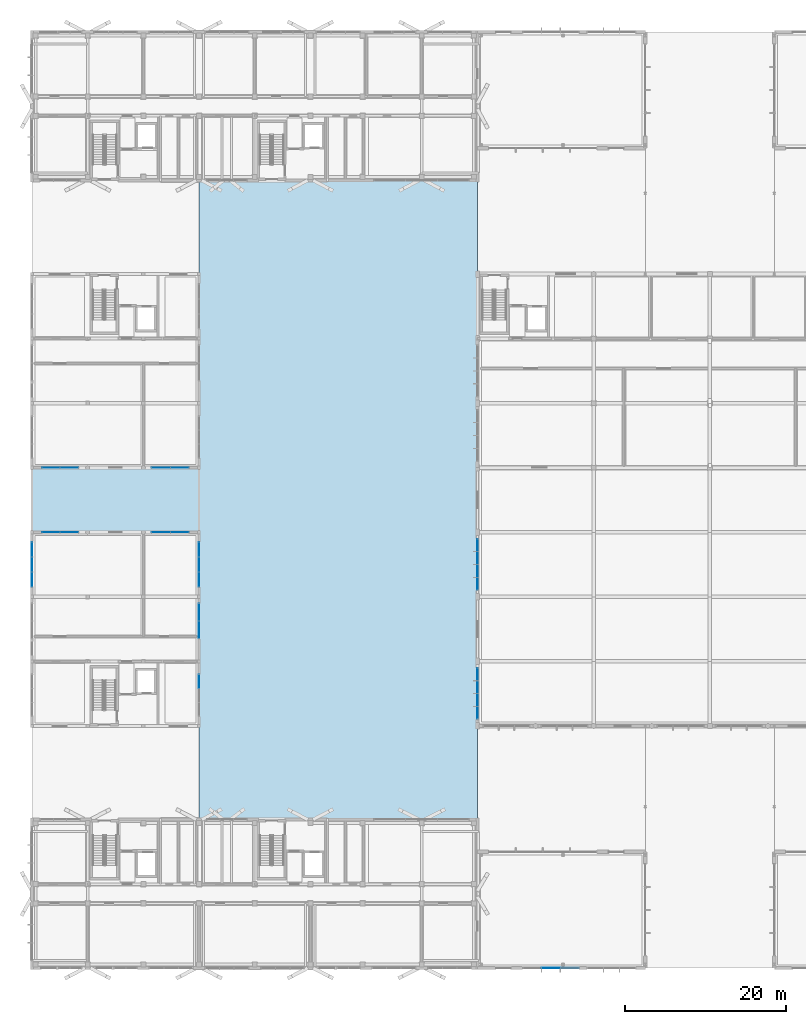
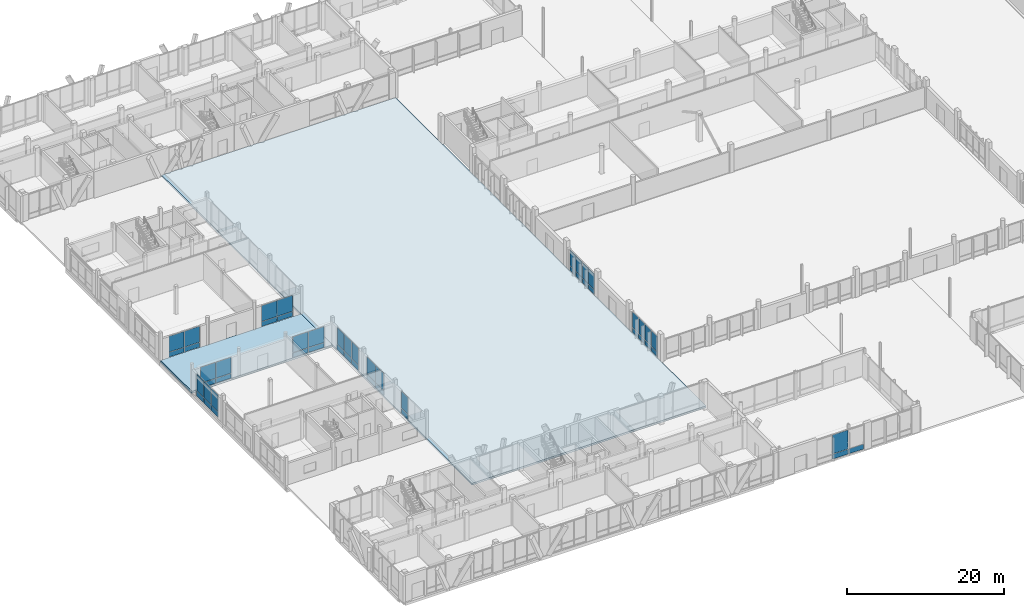
# One storey, part 178 of 233: 53 plates, 2 slabs, 11 elements without a shape of their own.
"""IFC4 building model written with IfcOpenShell, lengths in metres."""

from ifc_helpers import new_model, si_unit, direction, frame, origin, origin_2d, place, context, subcontext, project, spatial, polyline, rectangle, outline, extrude, material, layer, layer_set, type_object, element, aggregate, save


model = new_model("IFC4")

# Units and contexts
model_context = context("Model", 3, precision=1e-05, world=origin(), true_north=direction((0.0, 1.0)))
body_context = subcontext(model_context, "Body", "Model", "MODEL_VIEW")
ifc_project = project(units=[si_unit("LENGTHUNIT", "METRE"), si_unit("AREAUNIT", "SQUARE_METRE"), si_unit("VOLUMEUNIT", "CUBIC_METRE"), si_unit("PLANEANGLEUNIT", "RADIAN"), si_unit("MASSUNIT", "GRAM", prefix="KILO")], contexts=[model_context])

# Site, building, storey
site_placement = place(None, origin())
site = spatial("IfcSite", under=ifc_project, at=site_placement, CompositionType="ELEMENT")
building_placement = place(site_placement, origin())
building = spatial("IfcBuilding", under=site, at=building_placement, Name="Zavelmont Quarter", CompositionType="ELEMENT")
storey_placement = place(building_placement, origin())
storey = spatial("IfcBuildingStorey", under=building, at=storey_placement, Name="L00", CompositionType="ELEMENT", Elevation=0.0)

# Curtain wall, plates
ifc_material_1 = material(Name="Thermally broken aluminium and double low-E safety glazing", Category="aluminium")
curtain_wall_type_1 = type_object("IfcCurtainWallType", Name="CW-640X336", PredefinedType="NOTDEFINED", material=ifc_material_1)
curtain_wall_1_placement = place(storey_placement, origin())
curtain_wall_1 = element("IfcCurtainWall", 1, at=curtain_wall_1_placement, inside=storey, type_object=curtain_wall_type_1, Name="L00 unitised curtain wall CW-640X336", PredefinedType="NOTDEFINED")
ifc_material_2 = material(Name="Insulated anodised-aluminium spandrel panel", Category="aluminium")
ifc_layer_1 = layer(ifc_material_2, 0.0400390625)
ifc_layer_set_1 = layer_set([ifc_layer_1], Name="Insulated anodised-aluminium spandrel panel")
plate_type_1 = type_object("IfcPlateType", Name="CWP-SPD-1495X700", PredefinedType="CURTAIN_PANEL", material=ifc_layer_set_1)
plate_1_placement = place(storey_placement, frame((55.199951171875, 31.617431640625, 0.06982421875), z_axis=(0.0, 0.0, 1.0), x_axis=(0.0, 1.0, 0.0)))
plate_1 = element("IfcPlate", 2, at=plate_1_placement, type_object=plate_type_1, Name="CW-640X336 panel 1.1", PredefinedType="CURTAIN_PANEL", context=body_context, shape_type="SweptSolid", body=[
    extrude(rectangle(XDim=1.4951171875, YDim=0.0400390625, at=origin_2d()), origin(), (0.0, 0.0, 1.0), 0.700927734375),
])
plate_2_placement = place(storey_placement, frame((55.199951171875, 36.382568359375, 0.06982421875), z_axis=(0.0, 0.0, 1.0), x_axis=(0.0, 1.0, 0.0)))
plate_2 = element("IfcPlate", 3, at=plate_2_placement, type_object=plate_type_1, Name="CW-640X336 panel 4.1", PredefinedType="CURTAIN_PANEL", context=body_context, shape_type="SweptSolid", body=[
    extrude(rectangle(XDim=1.4951171875, YDim=0.0400390625, at=origin_2d()), origin(), (0.0, 0.0, 1.0), 0.700927734375),
])

curtain_wall_2_placement = place(storey_placement, origin())
curtain_wall_2 = element("IfcCurtainWall", 4, at=curtain_wall_2_placement, inside=storey, type_object=curtain_wall_type_1, Name="L00 unitised curtain wall CW-640X336", PredefinedType="NOTDEFINED")
plate_3_placement = place(storey_placement, frame((55.199951171875, 47.617431640625, 0.06982421875), z_axis=(0.0, 0.0, 1.0), x_axis=(0.0, 1.0, 0.0)))
plate_3 = element("IfcPlate", 5, at=plate_3_placement, type_object=plate_type_1, Name="CW-640X336 panel 1.1", PredefinedType="CURTAIN_PANEL", context=body_context, shape_type="SweptSolid", body=[
    extrude(rectangle(XDim=1.4951171875, YDim=0.0400390625, at=origin_2d()), origin(), (0.0, 0.0, 1.0), 0.700927734375),
])
plate_4_placement = place(storey_placement, frame((55.199951171875, 52.382568359375, 0.06982421875), z_axis=(0.0, 0.0, 1.0), x_axis=(0.0, 1.0, 0.0)))
plate_4 = element("IfcPlate", 6, at=plate_4_placement, type_object=plate_type_1, Name="CW-640X336 panel 4.1", PredefinedType="CURTAIN_PANEL", context=body_context, shape_type="SweptSolid", body=[
    extrude(rectangle(XDim=1.4951171875, YDim=0.0400390625, at=origin_2d()), origin(), (0.0, 0.0, 1.0), 0.700927734375),
])

# Plate
ifc_layer_2 = layer(ifc_material_2, 0.0400390625)
ifc_layer_set_2 = layer_set([ifc_layer_2], Name="Insulated anodised-aluminium spandrel panel")
plate_type_2 = type_object("IfcPlateType", Name="CWP-SPD-1530X700", PredefinedType="CURTAIN_PANEL", material=ifc_layer_set_2)
plate_5_placement = place(storey_placement, frame((55.199951171875, 33.199951171875, 0.06982421875), z_axis=(0.0, 0.0, 1.0), x_axis=(0.0, 1.0, 0.0)))
plate_5 = element("IfcPlate", 7, at=plate_5_placement, type_object=plate_type_2, Name="CW-640X336 panel 2.1", PredefinedType="CURTAIN_PANEL", context=body_context, shape_type="SweptSolid", body=[
    extrude(rectangle(XDim=1.530029296875, YDim=0.0400390625, at=origin_2d()), origin(), (0.0, 0.0, 1.0), 0.700927734375),
])

plate_6_placement = place(storey_placement, frame((55.199951171875, 34.800048828125, 0.06982421875), z_axis=(0.0, 0.0, 1.0), x_axis=(0.0, 1.0, 0.0)))
plate_6 = element("IfcPlate", 8, at=plate_6_placement, type_object=plate_type_2, Name="CW-640X336 panel 3.1", PredefinedType="CURTAIN_PANEL", context=body_context, shape_type="SweptSolid", body=[
    extrude(rectangle(XDim=1.530029296875, YDim=0.0400390625, at=origin_2d()), origin(), (0.0, 0.0, 1.0), 0.700927734375),
])

plate_7_placement = place(storey_placement, frame((55.199951171875, 49.199951171875, 0.06982421875), z_axis=(0.0, 0.0, 1.0), x_axis=(0.0, 1.0, 0.0)))
plate_7 = element("IfcPlate", 9, at=plate_7_placement, type_object=plate_type_2, Name="CW-640X336 panel 2.1", PredefinedType="CURTAIN_PANEL", context=body_context, shape_type="SweptSolid", body=[
    extrude(rectangle(XDim=1.530029296875, YDim=0.0400390625, at=origin_2d()), origin(), (0.0, 0.0, 1.0), 0.700927734375),
])

plate_8_placement = place(storey_placement, frame((55.199951171875, 50.800048828125, 0.06982421875), z_axis=(0.0, 0.0, 1.0), x_axis=(0.0, 1.0, 0.0)))
plate_8 = element("IfcPlate", 10, at=plate_8_placement, type_object=plate_type_2, Name="CW-640X336 panel 3.1", PredefinedType="CURTAIN_PANEL", context=body_context, shape_type="SweptSolid", body=[
    extrude(rectangle(XDim=1.530029296875, YDim=0.0400390625, at=origin_2d()), origin(), (0.0, 0.0, 1.0), 0.700927734375),
])

# Curtain wall, plate
curtain_wall_type_2 = type_object("IfcCurtainWallType", Name="CW-520X356", PredefinedType="NOTDEFINED", material=ifc_material_1)
curtain_wall_3_placement = place(storey_placement, origin())
curtain_wall_3 = element("IfcCurtainWall", 11, at=curtain_wall_3_placement, inside=storey, type_object=curtain_wall_type_2, Name="L00 unitised curtain wall CW-520X356", PredefinedType="NOTDEFINED")
ifc_layer_3 = layer(ifc_material_2, 0.0400390625)
ifc_layer_set_3 = layer_set([ifc_layer_3], Name="Insulated anodised-aluminium spandrel panel")
plate_type_3 = type_object("IfcPlateType", Name="CWP-SPD-1645X760", PredefinedType="CURTAIN_PANEL", material=ifc_layer_set_3)
plate_9_placement = place(storey_placement, frame((20.699951171875, 35.518310546875, 0.06005859375), z_axis=(0.0, 0.0, 1.0), x_axis=(0.0, 1.0, 0.0)))
plate_9 = element("IfcPlate", 12, at=plate_9_placement, type_object=plate_type_3, Name="CW-520X356 panel 3.1", PredefinedType="CURTAIN_PANEL", context=body_context, shape_type="SweptSolid", body=[
    extrude(rectangle(XDim=1.643310546875, YDim=0.0400390625, at=origin_2d()), origin(), (0.0, 0.0, 1.0), 0.760009765625),
])

# Curtain wall, plates
curtain_wall_type_3 = type_object("IfcCurtainWallType", Name="CW-560X356", PredefinedType="NOTDEFINED", material=ifc_material_1)
curtain_wall_4_placement = place(storey_placement, origin())
curtain_wall_4 = element("IfcCurtainWall", 13, at=curtain_wall_4_placement, inside=storey, type_object=curtain_wall_type_3, Name="L00 unitised curtain wall CW-560X356", PredefinedType="NOTDEFINED")
ifc_layer_4 = layer(ifc_material_2, 0.0400390625)
ifc_layer_set_4 = layer_set([ifc_layer_4], Name="Insulated anodised-aluminium spandrel panel")
plate_type_4 = type_object("IfcPlateType", Name="CWP-SPD-1775X760", PredefinedType="CURTAIN_PANEL", material=ifc_layer_set_4)
plate_10_placement = place(storey_placement, frame((0.0, 48.1484375, 0.06005859375), z_axis=(0.0, 0.0, 1.0), x_axis=(0.0, 1.0, 0.0)))
plate_10 = element("IfcPlate", 14, at=plate_10_placement, type_object=plate_type_4, Name="CW-560X356 panel 1.1", PredefinedType="CURTAIN_PANEL", context=body_context, shape_type="SweptSolid", body=[
    extrude(rectangle(XDim=1.776611328125, YDim=0.0400390625, at=origin_2d()), origin(), (0.0, 0.0, 1.0), 0.760009765625),
])
plate_11_placement = place(storey_placement, frame((0.0, 51.8515625, 0.06005859375), z_axis=(0.0, 0.0, 1.0), x_axis=(0.0, 1.0, 0.0)))
plate_11 = element("IfcPlate", 15, at=plate_11_placement, type_object=plate_type_4, Name="CW-560X356 panel 3.1", PredefinedType="CURTAIN_PANEL", context=body_context, shape_type="SweptSolid", body=[
    extrude(rectangle(XDim=1.776611328125, YDim=0.0400390625, at=origin_2d()), origin(), (0.0, 0.0, 1.0), 0.760009765625),
])

curtain_wall_5_placement = place(storey_placement, origin())
curtain_wall_5 = element("IfcCurtainWall", 16, at=curtain_wall_5_placement, inside=storey, type_object=curtain_wall_type_3, Name="L00 unitised curtain wall CW-560X356", PredefinedType="NOTDEFINED")
plate_12_placement = place(storey_placement, frame((20.699951171875, 48.1484375, 0.06005859375), z_axis=(0.0, 0.0, 1.0), x_axis=(0.0, 1.0, 0.0)))
plate_12 = element("IfcPlate", 17, at=plate_12_placement, type_object=plate_type_4, Name="CW-560X356 panel 1.1", PredefinedType="CURTAIN_PANEL", context=body_context, shape_type="SweptSolid", body=[
    extrude(rectangle(XDim=1.776611328125, YDim=0.0400390625, at=origin_2d()), origin(), (0.0, 0.0, 1.0), 0.760009765625),
])
plate_13_placement = place(storey_placement, frame((20.699951171875, 51.8515625, 0.06005859375), z_axis=(0.0, 0.0, 1.0), x_axis=(0.0, 1.0, 0.0)))
plate_13 = element("IfcPlate", 18, at=plate_13_placement, type_object=plate_type_4, Name="CW-560X356 panel 3.1", PredefinedType="CURTAIN_PANEL", context=body_context, shape_type="SweptSolid", body=[
    extrude(rectangle(XDim=1.776611328125, YDim=0.0400390625, at=origin_2d()), origin(), (0.0, 0.0, 1.0), 0.760009765625),
])

# Plate
ifc_layer_5 = layer(ifc_material_2, 0.0400390625)
ifc_layer_set_5 = layer_set([ifc_layer_5], Name="Insulated anodised-aluminium spandrel panel")
plate_type_5 = type_object("IfcPlateType", Name="CWP-SPD-1805X760", PredefinedType="CURTAIN_PANEL", material=ifc_layer_set_5)
plate_14_placement = place(storey_placement, frame((0.0, 50.0, 0.06005859375), z_axis=(0.0, 0.0, 1.0), x_axis=(0.0, 1.0, 0.0)))
plate_14 = element("IfcPlate", 19, at=plate_14_placement, type_object=plate_type_5, Name="CW-560X356 panel 2.1", PredefinedType="CURTAIN_PANEL", context=body_context, shape_type="SweptSolid", body=[
    extrude(rectangle(XDim=1.806640625, YDim=0.0400390625, at=origin_2d()), origin(), (0.0, 0.0, 1.0), 0.760009765625),
])

plate_15_placement = place(storey_placement, frame((20.699951171875, 50.0, 0.06005859375), z_axis=(0.0, 0.0, 1.0), x_axis=(0.0, 1.0, 0.0)))
plate_15 = element("IfcPlate", 20, at=plate_15_placement, type_object=plate_type_5, Name="CW-560X356 panel 2.1", PredefinedType="CURTAIN_PANEL", context=body_context, shape_type="SweptSolid", body=[
    extrude(rectangle(XDim=1.806640625, YDim=0.0400390625, at=origin_2d()), origin(), (0.0, 0.0, 1.0), 0.760009765625),
])

# Curtain wall, plates
curtain_wall_type_4 = type_object("IfcCurtainWallType", Name="CW-440X356", PredefinedType="NOTDEFINED", material=ifc_material_1)
curtain_wall_6_placement = place(storey_placement, origin())
curtain_wall_6 = element("IfcCurtainWall", 21, at=curtain_wall_6_placement, inside=storey, type_object=curtain_wall_type_4, Name="L00 unitised curtain wall CW-440X356", PredefinedType="NOTDEFINED")
ifc_layer_6 = layer(ifc_material_2, 0.0400390625)
ifc_layer_set_6 = layer_set([ifc_layer_6], Name="Insulated anodised-aluminium spandrel panel")
plate_type_6 = type_object("IfcPlateType", Name="CWP-SPD-2110X760", PredefinedType="CURTAIN_PANEL", material=ifc_layer_set_6)
plate_16_placement = place(storey_placement, frame((20.699951171875, 41.9150390625, 0.06005859375), z_axis=(0.0, 0.0, 1.0), x_axis=(0.0, 1.0, 0.0)))
plate_16 = element("IfcPlate", 22, at=plate_16_placement, type_object=plate_type_6, Name="CW-440X356 panel 1.1", PredefinedType="CURTAIN_PANEL", context=body_context, shape_type="SweptSolid", body=[
    extrude(rectangle(XDim=2.110107421875, YDim=0.0400390625, at=origin_2d()), origin(), (0.0, 0.0, 1.0), 0.760009765625),
])
plate_17_placement = place(storey_placement, frame((20.699951171875, 44.0849609375, 0.06005859375), z_axis=(0.0, 0.0, 1.0), x_axis=(0.0, 1.0, 0.0)))
plate_17 = element("IfcPlate", 23, at=plate_17_placement, type_object=plate_type_6, Name="CW-440X356 panel 2.1", PredefinedType="CURTAIN_PANEL", context=body_context, shape_type="SweptSolid", body=[
    extrude(rectangle(XDim=2.110107421875, YDim=0.0400390625, at=origin_2d()), origin(), (0.0, 0.0, 1.0), 0.760009765625),
])

curtain_wall_type_5 = type_object("IfcCurtainWallType", Name="CW-460X336", PredefinedType="NOTDEFINED", material=ifc_material_1)
curtain_wall_7_placement = place(storey_placement, origin())
curtain_wall_7 = element("IfcCurtainWall", 24, at=curtain_wall_7_placement, inside=storey, type_object=curtain_wall_type_5, Name="L00 unitised curtain wall CW-460X336", PredefinedType="NOTDEFINED")
ifc_layer_7 = layer(ifc_material_2, 0.0400390625)
ifc_layer_set_7 = layer_set([ifc_layer_7], Name="Insulated anodised-aluminium spandrel panel")
plate_type_7 = type_object("IfcPlateType", Name="CWP-SPD-2210X715", PredefinedType="CURTAIN_PANEL", material=ifc_layer_set_7)
plate_18_placement = place(storey_placement, frame((2.364990234375, 54.0, 0.06005859375), z_axis=(0.0, 0.0, 1.0), x_axis=(1.0, 0.0, 0.0)))
plate_18 = element("IfcPlate", 25, at=plate_18_placement, type_object=plate_type_7, Name="CW-460X336 panel 1.1", PredefinedType="CURTAIN_PANEL", context=body_context, shape_type="SweptSolid", body=[
    extrude(rectangle(XDim=2.2099609375, YDim=0.0400390625, at=origin_2d()), origin(), (0.0, 0.0, 1.0), 0.716064453125),
])
plate_19_placement = place(storey_placement, frame((4.635009765625, 54.0, 0.06005859375), z_axis=(0.0, 0.0, 1.0), x_axis=(1.0, 0.0, 0.0)))
plate_19 = element("IfcPlate", 26, at=plate_19_placement, type_object=plate_type_7, Name="CW-460X336 panel 2.1", PredefinedType="CURTAIN_PANEL", context=body_context, shape_type="SweptSolid", body=[
    extrude(rectangle(XDim=2.2099609375, YDim=0.0400390625, at=origin_2d()), origin(), (0.0, 0.0, 1.0), 0.716064453125),
])

curtain_wall_8_placement = place(storey_placement, origin())
curtain_wall_8 = element("IfcCurtainWall", 27, at=curtain_wall_8_placement, inside=storey, type_object=curtain_wall_type_5, Name="L00 unitised curtain wall CW-460X336", PredefinedType="NOTDEFINED")
plate_20_placement = place(storey_placement, frame((2.364990234375, 62.0, 0.06005859375), z_axis=(0.0, 0.0, 1.0), x_axis=(1.0, 0.0, 0.0)))
plate_20 = element("IfcPlate", 28, at=plate_20_placement, type_object=plate_type_7, Name="CW-460X336 panel 1.1", PredefinedType="CURTAIN_PANEL", context=body_context, shape_type="SweptSolid", body=[
    extrude(rectangle(XDim=2.2099609375, YDim=0.0400390625, at=origin_2d()), origin(), (0.0, 0.0, 1.0), 0.716064453125),
])
plate_21_placement = place(storey_placement, frame((4.635009765625, 62.0, 0.06005859375), z_axis=(0.0, 0.0, 1.0), x_axis=(1.0, 0.0, 0.0)))
plate_21 = element("IfcPlate", 29, at=plate_21_placement, type_object=plate_type_7, Name="CW-460X336 panel 2.1", PredefinedType="CURTAIN_PANEL", context=body_context, shape_type="SweptSolid", body=[
    extrude(rectangle(XDim=2.2099609375, YDim=0.0400390625, at=origin_2d()), origin(), (0.0, 0.0, 1.0), 0.716064453125),
])

# Curtain wall, plate
curtain_wall_type_6 = type_object("IfcCurtainWallType", Name="CW-700X390", PredefinedType="NOTDEFINED", material=ifc_material_1)
curtain_wall_9_placement = place(storey_placement, origin())
curtain_wall_9 = element("IfcCurtainWall", 30, at=curtain_wall_9_placement, inside=storey, type_object=curtain_wall_type_6, Name="L00 unitised curtain wall CW-700X390", PredefinedType="NOTDEFINED")
ifc_layer_8 = layer(ifc_material_2, 0.0400390625)
ifc_layer_set_8 = layer_set([ifc_layer_8], Name="Insulated anodised-aluminium spandrel panel")
plate_type_8 = type_object("IfcPlateType", Name="CWP-SPD-2245X760", PredefinedType="CURTAIN_PANEL", material=ifc_layer_set_8)
plate_22_placement = place(storey_placement, frame((66.618408203125, 0.0, 0.06005859375), z_axis=(0.0, 0.0, 1.0), x_axis=(1.0, 0.0, 0.0)))
plate_22 = element("IfcPlate", 31, at=plate_22_placement, type_object=plate_type_8, Name="CW-700X390 panel 3.1", PredefinedType="CURTAIN_PANEL", context=body_context, shape_type="SweptSolid", body=[
    extrude(rectangle(XDim=2.243408203125, YDim=0.0400390625, at=origin_2d()), origin(), (0.0, 0.0, 1.0), 0.760009765625),
])

# Curtain wall, plates
curtain_wall_type_7 = type_object("IfcCurtainWallType", Name="CW-470X336", PredefinedType="NOTDEFINED", material=ifc_material_1)
curtain_wall_10_placement = place(storey_placement, origin())
curtain_wall_10 = element("IfcCurtainWall", 32, at=curtain_wall_10_placement, inside=storey, type_object=curtain_wall_type_7, Name="L00 unitised curtain wall CW-470X336", PredefinedType="NOTDEFINED")
ifc_layer_9 = layer(ifc_material_2, 0.0400390625)
ifc_layer_set_9 = layer_set([ifc_layer_9], Name="Insulated anodised-aluminium spandrel panel")
plate_type_9 = type_object("IfcPlateType", Name="CWP-SPD-2260X715", PredefinedType="CURTAIN_PANEL", material=ifc_layer_set_9)
plate_23_placement = place(storey_placement, frame((15.989990234375, 54.0, 0.06005859375), z_axis=(0.0, 0.0, 1.0), x_axis=(1.0, 0.0, 0.0)))
plate_23 = element("IfcPlate", 33, at=plate_23_placement, type_object=plate_type_9, Name="CW-470X336 panel 1.1", PredefinedType="CURTAIN_PANEL", context=body_context, shape_type="SweptSolid", body=[
    extrude(rectangle(XDim=2.260009765625, YDim=0.0400390625, at=origin_2d()), origin(), (0.0, 0.0, 1.0), 0.716064453125),
])
plate_24_placement = place(storey_placement, frame((18.31005859375, 54.0, 0.06005859375), z_axis=(0.0, 0.0, 1.0), x_axis=(1.0, 0.0, 0.0)))
plate_24 = element("IfcPlate", 34, at=plate_24_placement, type_object=plate_type_9, Name="CW-470X336 panel 2.1", PredefinedType="CURTAIN_PANEL", context=body_context, shape_type="SweptSolid", body=[
    extrude(rectangle(XDim=2.260009765625, YDim=0.0400390625, at=origin_2d()), origin(), (0.0, 0.0, 1.0), 0.716064453125),
])

curtain_wall_11_placement = place(storey_placement, origin())
curtain_wall_11 = element("IfcCurtainWall", 35, at=curtain_wall_11_placement, inside=storey, type_object=curtain_wall_type_7, Name="L00 unitised curtain wall CW-470X336", PredefinedType="NOTDEFINED")
plate_25_placement = place(storey_placement, frame((15.989990234375, 62.0, 0.06005859375), z_axis=(0.0, 0.0, 1.0), x_axis=(1.0, 0.0, 0.0)))
plate_25 = element("IfcPlate", 36, at=plate_25_placement, type_object=plate_type_9, Name="CW-470X336 panel 1.1", PredefinedType="CURTAIN_PANEL", context=body_context, shape_type="SweptSolid", body=[
    extrude(rectangle(XDim=2.260009765625, YDim=0.0400390625, at=origin_2d()), origin(), (0.0, 0.0, 1.0), 0.716064453125),
])
plate_26_placement = place(storey_placement, frame((18.31005859375, 62.0, 0.06005859375), z_axis=(0.0, 0.0, 1.0), x_axis=(1.0, 0.0, 0.0)))
plate_26 = element("IfcPlate", 37, at=plate_26_placement, type_object=plate_type_9, Name="CW-470X336 panel 2.1", PredefinedType="CURTAIN_PANEL", context=body_context, shape_type="SweptSolid", body=[
    extrude(rectangle(XDim=2.260009765625, YDim=0.0400390625, at=origin_2d()), origin(), (0.0, 0.0, 1.0), 0.716064453125),
])

# Plate
ifc_layer_10 = layer(ifc_material_2, 0.0400390625)
ifc_layer_set_10 = layer_set([ifc_layer_10], Name="Insulated anodised-aluminium spandrel panel")
plate_type_10 = type_object("IfcPlateType", Name="CWP-SPD-2275X760", PredefinedType="CURTAIN_PANEL", material=ifc_layer_set_10)
plate_27_placement = place(storey_placement, frame((64.300048828125, 0.0, 0.06005859375), z_axis=(0.0, 0.0, 1.0), x_axis=(1.0, 0.0, 0.0)))
plate_27 = element("IfcPlate", 38, at=plate_27_placement, type_object=plate_type_10, Name="CW-700X390 panel 2.1", PredefinedType="CURTAIN_PANEL", context=body_context, shape_type="SweptSolid", body=[
    extrude(rectangle(XDim=2.2734375, YDim=0.0400390625, at=origin_2d()), origin(), (0.0, 0.0, 1.0), 0.760009765625),
])

ifc_material_3 = material(Name="Double low-E insulated vision glass", Category="glass")
ifc_layer_11 = layer(ifc_material_3, 0.028076171875)
ifc_layer_set_11 = layer_set([ifc_layer_11], Name="Double low-E insulated vision glass")
plate_type_11 = type_object("IfcPlateType", Name="CWP-VIS-1495X2450", PredefinedType="CURTAIN_PANEL", material=ifc_layer_set_11)
plate_28_placement = place(storey_placement, frame((55.199951171875, 31.617431640625, 0.8408203125), z_axis=(0.0, 0.0, 1.0), x_axis=(0.0, 1.0, 0.0)))
plate_28 = element("IfcPlate", 39, at=plate_28_placement, type_object=plate_type_11, Name="CW-640X336 panel 1.2", PredefinedType="CURTAIN_PANEL", context=body_context, shape_type="SweptSolid", body=[
    extrude(rectangle(XDim=1.4951171875, YDim=0.028076171875, at=origin_2d()), origin(), (0.0, 0.0, 1.0), 2.448974609375),
])

plate_29_placement = place(storey_placement, frame((55.199951171875, 36.382568359375, 0.8408203125), z_axis=(0.0, 0.0, 1.0), x_axis=(0.0, 1.0, 0.0)))
plate_29 = element("IfcPlate", 40, at=plate_29_placement, type_object=plate_type_11, Name="CW-640X336 panel 4.2", PredefinedType="CURTAIN_PANEL", context=body_context, shape_type="SweptSolid", body=[
    extrude(rectangle(XDim=1.4951171875, YDim=0.028076171875, at=origin_2d()), origin(), (0.0, 0.0, 1.0), 2.448974609375),
])

plate_30_placement = place(storey_placement, frame((55.199951171875, 47.617431640625, 0.8408203125), z_axis=(0.0, 0.0, 1.0), x_axis=(0.0, 1.0, 0.0)))
plate_30 = element("IfcPlate", 41, at=plate_30_placement, type_object=plate_type_11, Name="CW-640X336 panel 1.2", PredefinedType="CURTAIN_PANEL", context=body_context, shape_type="SweptSolid", body=[
    extrude(rectangle(XDim=1.4951171875, YDim=0.028076171875, at=origin_2d()), origin(), (0.0, 0.0, 1.0), 2.448974609375),
])

plate_31_placement = place(storey_placement, frame((55.199951171875, 52.382568359375, 0.8408203125), z_axis=(0.0, 0.0, 1.0), x_axis=(0.0, 1.0, 0.0)))
plate_31 = element("IfcPlate", 42, at=plate_31_placement, type_object=plate_type_11, Name="CW-640X336 panel 4.2", PredefinedType="CURTAIN_PANEL", context=body_context, shape_type="SweptSolid", body=[
    extrude(rectangle(XDim=1.4951171875, YDim=0.028076171875, at=origin_2d()), origin(), (0.0, 0.0, 1.0), 2.448974609375),
])

ifc_layer_12 = layer(ifc_material_3, 0.028076171875)
ifc_layer_set_12 = layer_set([ifc_layer_12], Name="Double low-E insulated vision glass")
plate_type_12 = type_object("IfcPlateType", Name="CWP-VIS-1530X2450", PredefinedType="CURTAIN_PANEL", material=ifc_layer_set_12)
plate_32_placement = place(storey_placement, frame((55.199951171875, 33.199951171875, 0.8408203125), z_axis=(0.0, 0.0, 1.0), x_axis=(0.0, 1.0, 0.0)))
plate_32 = element("IfcPlate", 43, at=plate_32_placement, type_object=plate_type_12, Name="CW-640X336 panel 2.2", PredefinedType="CURTAIN_PANEL", context=body_context, shape_type="SweptSolid", body=[
    extrude(rectangle(XDim=1.530029296875, YDim=0.028076171875, at=origin_2d()), origin(), (0.0, 0.0, 1.0), 2.448974609375),
])

plate_33_placement = place(storey_placement, frame((55.199951171875, 34.800048828125, 0.8408203125), z_axis=(0.0, 0.0, 1.0), x_axis=(0.0, 1.0, 0.0)))
plate_33 = element("IfcPlate", 44, at=plate_33_placement, type_object=plate_type_12, Name="CW-640X336 panel 3.2", PredefinedType="CURTAIN_PANEL", context=body_context, shape_type="SweptSolid", body=[
    extrude(rectangle(XDim=1.530029296875, YDim=0.028076171875, at=origin_2d()), origin(), (0.0, 0.0, 1.0), 2.448974609375),
])

aggregate(curtain_wall_1, [plate_1, plate_28, plate_5, plate_32, plate_6, plate_33, plate_2, plate_29])

plate_34_placement = place(storey_placement, frame((55.199951171875, 49.199951171875, 0.8408203125), z_axis=(0.0, 0.0, 1.0), x_axis=(0.0, 1.0, 0.0)))
plate_34 = element("IfcPlate", 45, at=plate_34_placement, type_object=plate_type_12, Name="CW-640X336 panel 2.2", PredefinedType="CURTAIN_PANEL", context=body_context, shape_type="SweptSolid", body=[
    extrude(rectangle(XDim=1.530029296875, YDim=0.028076171875, at=origin_2d()), origin(), (0.0, 0.0, 1.0), 2.448974609375),
])

plate_35_placement = place(storey_placement, frame((55.199951171875, 50.800048828125, 0.8408203125), z_axis=(0.0, 0.0, 1.0), x_axis=(0.0, 1.0, 0.0)))
plate_35 = element("IfcPlate", 46, at=plate_35_placement, type_object=plate_type_12, Name="CW-640X336 panel 3.2", PredefinedType="CURTAIN_PANEL", context=body_context, shape_type="SweptSolid", body=[
    extrude(rectangle(XDim=1.530029296875, YDim=0.028076171875, at=origin_2d()), origin(), (0.0, 0.0, 1.0), 2.448974609375),
])

aggregate(curtain_wall_2, [plate_3, plate_30, plate_7, plate_34, plate_8, plate_35, plate_4, plate_31])

ifc_layer_13 = layer(ifc_material_3, 0.028076171875)
ifc_layer_set_13 = layer_set([ifc_layer_13], Name="Double low-E insulated vision glass")
plate_type_13 = type_object("IfcPlateType", Name="CWP-VIS-1645X2620", PredefinedType="CURTAIN_PANEL", material=ifc_layer_set_13)
plate_36_placement = place(storey_placement, frame((20.699951171875, 35.518310546875, 0.8798828125), z_axis=(0.0, 0.0, 1.0), x_axis=(0.0, 1.0, 0.0)))
plate_36 = element("IfcPlate", 47, at=plate_36_placement, type_object=plate_type_13, Name="CW-520X356 panel 3.2", PredefinedType="CURTAIN_PANEL", context=body_context, shape_type="SweptSolid", body=[
    extrude(rectangle(XDim=1.643310546875, YDim=0.028076171875, at=origin_2d()), origin(), (0.0, 0.0, 1.0), 2.6201171875),
])

aggregate(curtain_wall_3, [plate_9, plate_36])

ifc_layer_14 = layer(ifc_material_3, 0.028076171875)
ifc_layer_set_14 = layer_set([ifc_layer_14], Name="Double low-E insulated vision glass")
plate_type_14 = type_object("IfcPlateType", Name="CWP-VIS-1775X2620", PredefinedType="CURTAIN_PANEL", material=ifc_layer_set_14)
plate_37_placement = place(storey_placement, frame((0.0, 48.1484375, 0.8798828125), z_axis=(0.0, 0.0, 1.0), x_axis=(0.0, 1.0, 0.0)))
plate_37 = element("IfcPlate", 48, at=plate_37_placement, type_object=plate_type_14, Name="CW-560X356 panel 1.2", PredefinedType="CURTAIN_PANEL", context=body_context, shape_type="SweptSolid", body=[
    extrude(rectangle(XDim=1.776611328125, YDim=0.028076171875, at=origin_2d()), origin(), (0.0, 0.0, 1.0), 2.6201171875),
])

plate_38_placement = place(storey_placement, frame((0.0, 51.8515625, 0.8798828125), z_axis=(0.0, 0.0, 1.0), x_axis=(0.0, 1.0, 0.0)))
plate_38 = element("IfcPlate", 49, at=plate_38_placement, type_object=plate_type_14, Name="CW-560X356 panel 3.2", PredefinedType="CURTAIN_PANEL", context=body_context, shape_type="SweptSolid", body=[
    extrude(rectangle(XDim=1.776611328125, YDim=0.028076171875, at=origin_2d()), origin(), (0.0, 0.0, 1.0), 2.6201171875),
])

plate_39_placement = place(storey_placement, frame((20.699951171875, 48.1484375, 0.8798828125), z_axis=(0.0, 0.0, 1.0), x_axis=(0.0, 1.0, 0.0)))
plate_39 = element("IfcPlate", 50, at=plate_39_placement, type_object=plate_type_14, Name="CW-560X356 panel 1.2", PredefinedType="CURTAIN_PANEL", context=body_context, shape_type="SweptSolid", body=[
    extrude(rectangle(XDim=1.776611328125, YDim=0.028076171875, at=origin_2d()), origin(), (0.0, 0.0, 1.0), 2.6201171875),
])

plate_40_placement = place(storey_placement, frame((20.699951171875, 51.8515625, 0.8798828125), z_axis=(0.0, 0.0, 1.0), x_axis=(0.0, 1.0, 0.0)))
plate_40 = element("IfcPlate", 51, at=plate_40_placement, type_object=plate_type_14, Name="CW-560X356 panel 3.2", PredefinedType="CURTAIN_PANEL", context=body_context, shape_type="SweptSolid", body=[
    extrude(rectangle(XDim=1.776611328125, YDim=0.028076171875, at=origin_2d()), origin(), (0.0, 0.0, 1.0), 2.6201171875),
])

ifc_layer_15 = layer(ifc_material_3, 0.028076171875)
ifc_layer_set_15 = layer_set([ifc_layer_15], Name="Double low-E insulated vision glass")
plate_type_15 = type_object("IfcPlateType", Name="CWP-VIS-1805X2620", PredefinedType="CURTAIN_PANEL", material=ifc_layer_set_15)
plate_41_placement = place(storey_placement, frame((0.0, 50.0, 0.8798828125), z_axis=(0.0, 0.0, 1.0), x_axis=(0.0, 1.0, 0.0)))
plate_41 = element("IfcPlate", 52, at=plate_41_placement, type_object=plate_type_15, Name="CW-560X356 panel 2.2", PredefinedType="CURTAIN_PANEL", context=body_context, shape_type="SweptSolid", body=[
    extrude(rectangle(XDim=1.806640625, YDim=0.028076171875, at=origin_2d()), origin(), (0.0, 0.0, 1.0), 2.6201171875),
])

aggregate(curtain_wall_4, [plate_10, plate_37, plate_14, plate_41, plate_11, plate_38])

plate_42_placement = place(storey_placement, frame((20.699951171875, 50.0, 0.8798828125), z_axis=(0.0, 0.0, 1.0), x_axis=(0.0, 1.0, 0.0)))
plate_42 = element("IfcPlate", 53, at=plate_42_placement, type_object=plate_type_15, Name="CW-560X356 panel 2.2", PredefinedType="CURTAIN_PANEL", context=body_context, shape_type="SweptSolid", body=[
    extrude(rectangle(XDim=1.806640625, YDim=0.028076171875, at=origin_2d()), origin(), (0.0, 0.0, 1.0), 2.6201171875),
])

aggregate(curtain_wall_5, [plate_12, plate_39, plate_15, plate_42, plate_13, plate_40])

ifc_layer_16 = layer(ifc_material_3, 0.028076171875)
ifc_layer_set_16 = layer_set([ifc_layer_16], Name="Double low-E insulated vision glass")
plate_type_16 = type_object("IfcPlateType", Name="CWP-VIS-2110X2620", PredefinedType="CURTAIN_PANEL", material=ifc_layer_set_16)
plate_43_placement = place(storey_placement, frame((20.699951171875, 41.9150390625, 0.8798828125), z_axis=(0.0, 0.0, 1.0), x_axis=(0.0, 1.0, 0.0)))
plate_43 = element("IfcPlate", 54, at=plate_43_placement, type_object=plate_type_16, Name="CW-440X356 panel 1.2", PredefinedType="CURTAIN_PANEL", context=body_context, shape_type="SweptSolid", body=[
    extrude(rectangle(XDim=2.110107421875, YDim=0.028076171875, at=origin_2d()), origin(), (0.0, 0.0, 1.0), 2.6201171875),
])

plate_44_placement = place(storey_placement, frame((20.699951171875, 44.0849609375, 0.8798828125), z_axis=(0.0, 0.0, 1.0), x_axis=(0.0, 1.0, 0.0)))
plate_44 = element("IfcPlate", 55, at=plate_44_placement, type_object=plate_type_16, Name="CW-440X356 panel 2.2", PredefinedType="CURTAIN_PANEL", context=body_context, shape_type="SweptSolid", body=[
    extrude(rectangle(XDim=2.110107421875, YDim=0.028076171875, at=origin_2d()), origin(), (0.0, 0.0, 1.0), 2.6201171875),
])

aggregate(curtain_wall_6, [plate_16, plate_43, plate_17, plate_44])

ifc_layer_17 = layer(ifc_material_3, 0.028076171875)
ifc_layer_set_17 = layer_set([ifc_layer_17], Name="Double low-E insulated vision glass")
plate_type_17 = type_object("IfcPlateType", Name="CWP-VIS-2210X2465", PredefinedType="CURTAIN_PANEL", material=ifc_layer_set_17)
plate_45_placement = place(storey_placement, frame((2.364990234375, 54.0, 0.8359375), z_axis=(0.0, 0.0, 1.0), x_axis=(1.0, 0.0, 0.0)))
plate_45 = element("IfcPlate", 56, at=plate_45_placement, type_object=plate_type_17, Name="CW-460X336 panel 1.2", PredefinedType="CURTAIN_PANEL", context=body_context, shape_type="SweptSolid", body=[
    extrude(rectangle(XDim=2.2099609375, YDim=0.028076171875, at=origin_2d()), origin(), (0.0, 0.0, 1.0), 2.464111328125),
])

plate_46_placement = place(storey_placement, frame((4.635009765625, 54.0, 0.8359375), z_axis=(0.0, 0.0, 1.0), x_axis=(1.0, 0.0, 0.0)))
plate_46 = element("IfcPlate", 57, at=plate_46_placement, type_object=plate_type_17, Name="CW-460X336 panel 2.2", PredefinedType="CURTAIN_PANEL", context=body_context, shape_type="SweptSolid", body=[
    extrude(rectangle(XDim=2.2099609375, YDim=0.028076171875, at=origin_2d()), origin(), (0.0, 0.0, 1.0), 2.464111328125),
])

aggregate(curtain_wall_7, [plate_18, plate_45, plate_19, plate_46])

plate_47_placement = place(storey_placement, frame((2.364990234375, 62.0, 0.8359375), z_axis=(0.0, 0.0, 1.0), x_axis=(1.0, 0.0, 0.0)))
plate_47 = element("IfcPlate", 58, at=plate_47_placement, type_object=plate_type_17, Name="CW-460X336 panel 1.2", PredefinedType="CURTAIN_PANEL", context=body_context, shape_type="SweptSolid", body=[
    extrude(rectangle(XDim=2.2099609375, YDim=0.028076171875, at=origin_2d()), origin(), (0.0, 0.0, 1.0), 2.464111328125),
])

plate_48_placement = place(storey_placement, frame((4.635009765625, 62.0, 0.8359375), z_axis=(0.0, 0.0, 1.0), x_axis=(1.0, 0.0, 0.0)))
plate_48 = element("IfcPlate", 59, at=plate_48_placement, type_object=plate_type_17, Name="CW-460X336 panel 2.2", PredefinedType="CURTAIN_PANEL", context=body_context, shape_type="SweptSolid", body=[
    extrude(rectangle(XDim=2.2099609375, YDim=0.028076171875, at=origin_2d()), origin(), (0.0, 0.0, 1.0), 2.464111328125),
])

aggregate(curtain_wall_8, [plate_20, plate_47, plate_21, plate_48])

ifc_layer_18 = layer(ifc_material_3, 0.028076171875)
ifc_layer_set_18 = layer_set([ifc_layer_18], Name="Double low-E insulated vision glass")
plate_type_18 = type_object("IfcPlateType", Name="CWP-VIS-2260X2465", PredefinedType="CURTAIN_PANEL", material=ifc_layer_set_18)
plate_49_placement = place(storey_placement, frame((15.989990234375, 54.0, 0.8359375), z_axis=(0.0, 0.0, 1.0), x_axis=(1.0, 0.0, 0.0)))
plate_49 = element("IfcPlate", 60, at=plate_49_placement, type_object=plate_type_18, Name="CW-470X336 panel 1.2", PredefinedType="CURTAIN_PANEL", context=body_context, shape_type="SweptSolid", body=[
    extrude(rectangle(XDim=2.260009765625, YDim=0.028076171875, at=origin_2d()), origin(), (0.0, 0.0, 1.0), 2.464111328125),
])

plate_50_placement = place(storey_placement, frame((18.31005859375, 54.0, 0.8359375), z_axis=(0.0, 0.0, 1.0), x_axis=(1.0, 0.0, 0.0)))
plate_50 = element("IfcPlate", 61, at=plate_50_placement, type_object=plate_type_18, Name="CW-470X336 panel 2.2", PredefinedType="CURTAIN_PANEL", context=body_context, shape_type="SweptSolid", body=[
    extrude(rectangle(XDim=2.260009765625, YDim=0.028076171875, at=origin_2d()), origin(), (0.0, 0.0, 1.0), 2.464111328125),
])

aggregate(curtain_wall_10, [plate_23, plate_49, plate_24, plate_50])

plate_51_placement = place(storey_placement, frame((15.989990234375, 62.0, 0.8359375), z_axis=(0.0, 0.0, 1.0), x_axis=(1.0, 0.0, 0.0)))
plate_51 = element("IfcPlate", 62, at=plate_51_placement, type_object=plate_type_18, Name="CW-470X336 panel 1.2", PredefinedType="CURTAIN_PANEL", context=body_context, shape_type="SweptSolid", body=[
    extrude(rectangle(XDim=2.260009765625, YDim=0.028076171875, at=origin_2d()), origin(), (0.0, 0.0, 1.0), 2.464111328125),
])

plate_52_placement = place(storey_placement, frame((18.31005859375, 62.0, 0.8359375), z_axis=(0.0, 0.0, 1.0), x_axis=(1.0, 0.0, 0.0)))
plate_52 = element("IfcPlate", 63, at=plate_52_placement, type_object=plate_type_18, Name="CW-470X336 panel 2.2", PredefinedType="CURTAIN_PANEL", context=body_context, shape_type="SweptSolid", body=[
    extrude(rectangle(XDim=2.260009765625, YDim=0.028076171875, at=origin_2d()), origin(), (0.0, 0.0, 1.0), 2.464111328125),
])

aggregate(curtain_wall_11, [plate_25, plate_51, plate_26, plate_52])

ifc_layer_19 = layer(ifc_material_3, 0.028076171875)
ifc_layer_set_19 = layer_set([ifc_layer_19], Name="Double low-E insulated vision glass")
plate_type_19 = type_object("IfcPlateType", Name="CWP-VIS-2275X2960", PredefinedType="CURTAIN_PANEL", material=ifc_layer_set_19)
plate_53_placement = place(storey_placement, frame((64.300048828125, 0.0, 0.880126953125), z_axis=(0.0, 0.0, 1.0), x_axis=(1.0, 0.0, 0.0)))
plate_53 = element("IfcPlate", 64, at=plate_53_placement, type_object=plate_type_19, Name="CW-700X390 panel 2.2", PredefinedType="CURTAIN_PANEL", context=body_context, shape_type="SweptSolid", body=[
    extrude(rectangle(XDim=2.2734375, YDim=0.028076171875, at=origin_2d()), origin(), (0.0, 0.0, 1.0), 2.9599609375),
])

aggregate(curtain_wall_9, [plate_27, plate_53, plate_22])

# Slabs
ifc_material_4 = material(Name="Concrete C40/50", Category="concrete")
ifc_layer_20 = layer(ifc_material_4, 0.320068359375)
ifc_layer_set_20 = layer_set([ifc_layer_20], Name="Concrete C40/50")
slab_type_1 = type_object("IfcSlabType", Name="SL-FL320", PredefinedType="FLOOR", material=ifc_layer_set_20)
slab_1_placement = place(storey_placement, frame((0.0, 0.0, -0.320068359375)))
element("IfcSlab", 65, at=slab_1_placement, inside=storey, type_object=slab_type_1, Name="L00 Covered Public Passage ground slab SL-FL320", PredefinedType="FLOOR", context=body_context, shape_type="SweptSolid", body=[
    extrude(outline(polyline([(0.0, 54.0), (20.699951171875, 54.0), (20.699951171875, 62.0), (0.0, 62.0), (0.0, 54.0)])), origin(), (0.0, 0.0, 1.0), 0.320068359375),
])
ifc_material_5 = material(Name="Concrete C35/45", Category="concrete")
ifc_layer_21 = layer(ifc_material_5, 0.2900390625)
ifc_layer_set_21 = layer_set([ifc_layer_21], Name="Concrete C35/45")
slab_type_2 = type_object("IfcSlabType", Name="SL-RF290", PredefinedType="ROOF", material=ifc_layer_set_21)
slab_2_placement = place(storey_placement, frame((0.0, 0.0, -0.2900390625)))
element("IfcSlab", 66, at=slab_2_placement, inside=storey, type_object=slab_type_2, Name="L00 West landscaped civic garden court SL-RF290", PredefinedType="ROOF", context=body_context, shape_type="SweptSolid", body=[
    extrude(outline(polyline([(20.699951171875, 18.39990234375), (55.199951171875, 18.39990234375), (55.199951171875, 97.60009765625), (20.699951171875, 97.60009765625), (20.699951171875, 18.39990234375)])), origin(), (0.0, 0.0, 1.0), 0.2900390625),
])

save(model, "model.ifc")
